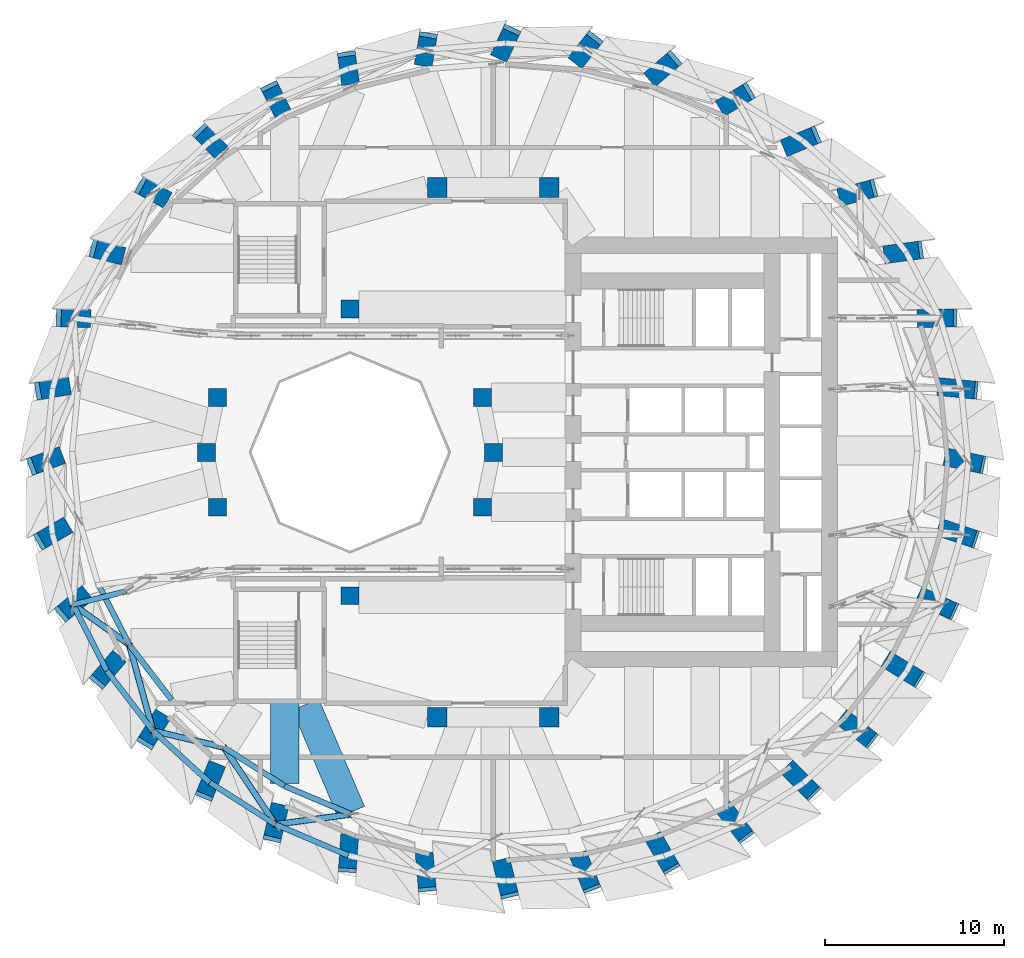
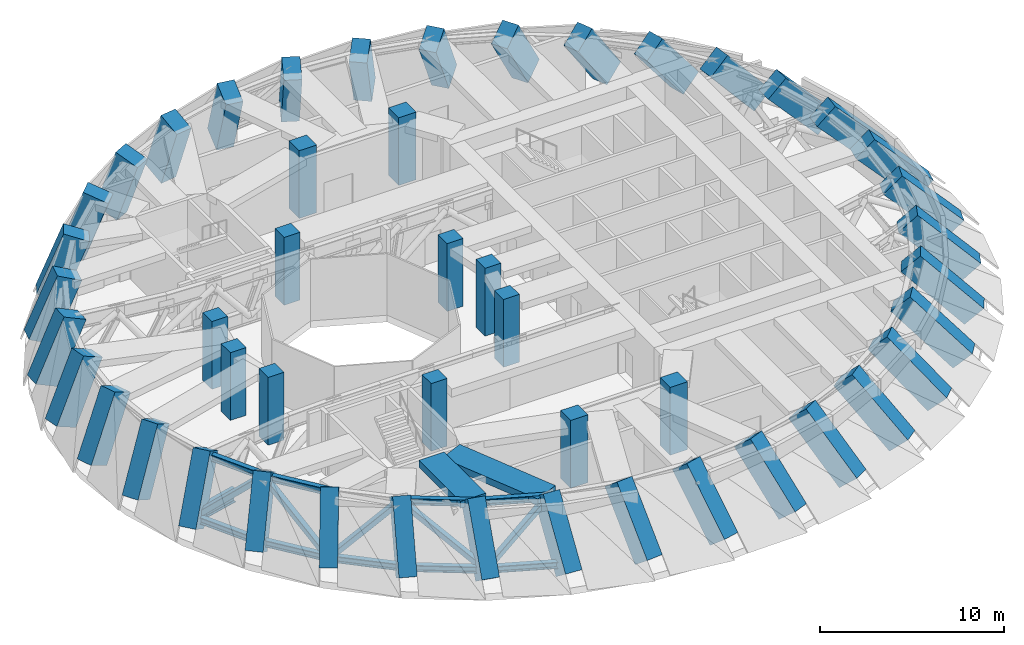
# One storey, part 1 of 14: 48 columns, 15 members, 2 beams.
"""IFC4 building model written with IfcOpenShell, lengths in metres."""

from ifc_helpers import new_model, si_unit, direction, frame, origin, origin_2d, place, context, subcontext, project, spatial, rectangle, hollow_rectangle, i_section, extrude, material, material_profile, profile_set, type_object, element, save


model = new_model("IFC4")

# Units and contexts
model_context = context("Model", 3, precision=1e-05, world=origin(), true_north=direction((0.0, 1.0)))
body_context = subcontext(model_context, "Body", "Model", "MODEL_VIEW")
ifc_project = project(units=[si_unit("LENGTHUNIT", "METRE"), si_unit("AREAUNIT", "SQUARE_METRE"), si_unit("VOLUMEUNIT", "CUBIC_METRE"), si_unit("PLANEANGLEUNIT", "RADIAN"), si_unit("MASSUNIT", "GRAM", prefix="KILO")], contexts=[model_context])

# Site, building, storey
site_placement = place(None, origin())
site = spatial("IfcSite", under=ifc_project, at=site_placement, CompositionType="ELEMENT")
building_placement = place(site_placement, origin())
building = spatial("IfcBuilding", under=site, at=building_placement, Name="Taillehof Tower", CompositionType="ELEMENT")
storey_placement = place(building_placement, frame((0.0, 0.0, 135.10009765625)))
storey = spatial("IfcBuildingStorey", under=building, at=storey_placement, Name="L38", CompositionType="ELEMENT", Elevation=135.10009765625)

# Columns
ifc_material_1 = material(Name="Concrete C50/60", Category="concrete")
ifc_material_profile_1 = material_profile(ifc_material_1, rectangle(XDim=1.0, YDim=1.0, at=origin_2d()), Name="RC 1000x1000")
ifc_profile_set_1 = profile_set([ifc_material_profile_1], Name="Concrete C50/60")
column_type_1 = type_object("IfcColumnType", Name="Atrium ring column C50/60 1000x1000", PredefinedType="COLUMN", material=ifc_profile_set_1)
for number, where, z_axis, x_axis, name in (
    (1, (0.0, 0.0, 0.0), (0.0, 0.0, 1.0), (1.0, 0.0, 0.0), "Column AC01"),
    (2, (-0.60888671875, 3.0615234375, 0.0), (0.0, 0.0, 1.0), (1.0, 0.0, 0.0), "Column AC02"),
    (3, (-8.0, 8.0, 0.0), (0.0, 0.0, 1.0), (1.0, 0.0, 0.0), "Column AC05"),
    (4, (-15.39111328125, 3.0615234375, 0.0), (0.0, 0.0, 1.0), (1.0, 0.0, 0.0), "Column AC08"),
    (5, (-16.0, 0.0, 0.0), (0.0, 0.0, 1.0), (1.0, 0.0, 0.0), "Column AC09"),
    (6, (-15.39111328125, -3.0615234375, 0.0), (0.0, 0.0, 1.0), (1.0, 0.0, 0.0), "Column AC10"),
    (7, (-8.0, -8.0, 0.0), (0.0, 0.0, 1.0), (1.0, 0.0, 0.0), "Column AC13"),
    (8, (-0.60888671875, -3.0615234375, 0.0), (0.0, 0.0, 1.0), (1.0, 0.0, 0.0), "Column AC16"),
):
    element("IfcColumn", number, at=place(storey_placement, frame(where, z_axis=z_axis, x_axis=x_axis)), inside=storey, type_object=column_type_1, Name=name, PredefinedType="COLUMN", context=body_context, shape_type="SweptSolid", body=[
        extrude(rectangle(XDim=1.0, YDim=1.0, at=origin_2d()), origin(), (0.0, 0.0, 1.0), 4.5),
    ])
ifc_material_2 = material(Name="Concrete C50/60", Category="concrete")
ifc_material_profile_2 = material_profile(ifc_material_2, rectangle(XDim=1.10009765625, YDim=1.10009765625, at=origin_2d()), Name="RC 1100x1100")
ifc_profile_set_2 = profile_set([ifc_material_profile_2], Name="Concrete C50/60")
column_type_2 = type_object("IfcColumnType", Name="Mid-ring column C50/60 1100x1100", PredefinedType="COLUMN", material=ifc_profile_set_2)
for number, where, z_axis, x_axis, name in (
    (9, (3.125732421875, 14.772216796875, 0.0), (0.0, 0.0, 1.0), (1.0, 0.0, 0.0), "Column MC05"),
    (10, (-3.125732421875, 14.772216796875, 0.0), (0.0, 0.0, 1.0), (1.0, 0.0, 0.0), "Column MC06"),
    (11, (-3.125732421875, -14.772216796875, 0.0), (0.0, 0.0, 1.0), (1.0, 0.0, 0.0), "Column MC14"),
    (12, (3.125732421875, -14.772216796875, 0.0), (0.0, 0.0, 1.0), (1.0, 0.0, 0.0), "Column MC15"),
):
    element("IfcColumn", number, at=place(storey_placement, frame(where, z_axis=z_axis, x_axis=x_axis)), inside=storey, type_object=column_type_2, Name=name, PredefinedType="COLUMN", context=body_context, shape_type="SweptSolid", body=[
        extrude(rectangle(XDim=1.10009765625, YDim=1.10009765625, at=origin_2d()), origin(), (0.0, 0.0, 1.0), 4.5),
    ])
ifc_material_3 = material(Name="Concrete C70/85", Category="concrete")
ifc_material_profile_3 = material_profile(ifc_material_3, rectangle(XDim=1.5, YDim=1.0, at=origin_2d()), Name="RC 1500x1000")
ifc_profile_set_3 = profile_set([ifc_material_profile_3], Name="Concrete C70/85")
column_type_3 = type_object("IfcColumnType", Name="Ring column C70/85 1500x1000", PredefinedType="COLUMN", material=ifc_profile_set_3)
column_1_placement = place(storey_placement, frame((26.85009765625, -0.60009765625, 0.524169921875), z_axis=(-0.683768170799, 0.145080055771, 0.715131362772), x_axis=(0.699557943343, -0.148430286418, 0.698990081461)))
element("IfcColumn", 13, at=column_1_placement, inside=storey, type_object=column_type_3, Name="Ring column RC01", PredefinedType="COLUMN", context=body_context, shape_type="SweptSolid", body=[
    extrude(rectangle(XDim=1.5, YDim=1.0, at=origin_2d()), origin(), (0.0, 0.0, 1.0), 4.826171875),
])
column_2_placement = place(storey_placement, frame((26.454345703125, 3.5068359375, 0.5146484375), z_axis=(-0.683196219724, 0.066605876307, 0.727190884566), x_axis=(0.723759493858, -0.070560453838, 0.686435297318)))
element("IfcColumn", 14, at=column_2_placement, inside=storey, type_object=column_type_3, Name="Ring column RC02", PredefinedType="COLUMN", context=body_context, shape_type="SweptSolid", body=[
    extrude(rectangle(XDim=1.5, YDim=1.0, at=origin_2d()), origin(), (0.0, 0.0, 1.0), 4.7724609375),
])
column_3_placement = place(storey_placement, frame((25.279052734375, 7.48876953125, 0.501220703125), z_axis=(-0.668420952562, -0.011161980955, 0.743699428773), x_axis=(0.743595757345, 0.01241732721, 0.668514143188)))
element("IfcColumn", 15, at=column_3_placement, inside=storey, type_object=column_type_3, Name="Ring column RC03", PredefinedType="COLUMN", context=body_context, shape_type="SweptSolid", body=[
    extrude(rectangle(XDim=1.5, YDim=1.0, at=origin_2d()), origin(), (0.0, 0.0, 1.0), 4.70263671875),
])
column_4_placement = place(storey_placement, frame((23.35986328125, 11.22509765625, 0.4833984375), z_axis=(-0.638714852025, -0.08658839061, 0.764555941978), x_axis=(0.757625702782, 0.102708728442, 0.644557376489)))
element("IfcColumn", 16, at=column_4_placement, inside=storey, type_object=column_type_3, Name="Ring column RC04", PredefinedType="COLUMN", context=body_context, shape_type="SweptSolid", body=[
    extrude(rectangle(XDim=1.5, YDim=1.0, at=origin_2d()), origin(), (0.0, 0.0, 1.0), 4.621337890625),
])
column_5_placement = place(storey_placement, frame((20.75537109375, 14.60205078125, 0.46044921875), z_axis=(-0.593567438893, -0.157530913941, 0.789215880883), x_axis=(0.7628085794, 0.202446975358, 0.614115863141)))
element("IfcColumn", 17, at=column_5_placement, inside=storey, type_object=column_type_3, Name="Ring column RC05", PredefinedType="COLUMN", context=body_context, shape_type="SweptSolid", body=[
    extrude(rectangle(XDim=1.5, YDim=1.0, at=origin_2d()), origin(), (0.0, 0.0, 1.0), 4.53466796875),
])
column_6_placement = place(storey_placement, frame((17.544677734375, 17.516845703125, 0.4326171875), z_axis=(-0.532872454376, -0.221367276167, 0.816727296232), x_axis=(0.754234818577, 0.313326211568, 0.577023850105)))
element("IfcColumn", 18, at=column_6_placement, inside=storey, type_object=column_type_3, Name="Ring column RC06", PredefinedType="COLUMN", context=body_context, shape_type="SweptSolid", body=[
    extrude(rectangle(XDim=1.5, YDim=1.0, at=origin_2d()), origin(), (0.0, 0.0, 1.0), 4.4501953125),
])
column_7_placement = place(storey_placement, frame((13.824951171875, 19.881591796875, 0.400146484375), z_axis=(-0.457164324524, -0.275515169699, 0.845631226746), x_axis=(0.724271094402, 0.436490038216, 0.533767578962)))
element("IfcColumn", 19, at=column_7_placement, inside=storey, type_object=column_type_3, Name="Ring column RC07", PredefinedType="COLUMN", context=body_context, shape_type="SweptSolid", body=[
    extrude(rectangle(XDim=1.5, YDim=1.0, at=origin_2d()), origin(), (0.0, 0.0, 1.0), 4.374755859375),
])
column_8_placement = place(storey_placement, frame((9.709716796875, 21.623779296875, 0.3642578125), z_axis=(-0.368343075411, -0.316910839535, 0.874008523175), x_axis=(0.66253955774, 0.570028273871, 0.485910589942)))
element("IfcColumn", 20, at=column_8_placement, inside=storey, type_object=column_type_3, Name="Ring column RC08", PredefinedType="COLUMN", context=body_context, shape_type="SweptSolid", body=[
    extrude(rectangle(XDim=1.5, YDim=1.0, at=origin_2d()), origin(), (0.0, 0.0, 1.0), 4.31494140625),
])
column_9_placement = place(storey_placement, frame((5.323486328125, 22.690673828125, 0.3271484375), z_axis=(-0.269411518234, -0.343162635715, 0.899809334966), x_axis=(0.555645773671, 0.707753215107, 0.436283349107)))
element("IfcColumn", 21, at=column_9_placement, inside=storey, type_object=column_type_3, Name="Ring column RC09", PredefinedType="COLUMN", context=body_context, shape_type="SweptSolid", body=[
    extrude(rectangle(XDim=1.5, YDim=1.0, at=origin_2d()), origin(), (0.0, 0.0, 1.0), 4.273681640625),
])
column_10_placement = place(storey_placement, frame((0.800048828125, 23.050048828125, 0.2919921875), z_axis=(-0.164636934212, -0.352818041088, 0.921093974454), x_axis=(0.389494941986, 0.834690241912, 0.389340326994)))
element("IfcColumn", 22, at=column_10_placement, inside=storey, type_object=column_type_3, Name="Ring column RC10", PredefinedType="COLUMN", context=body_context, shape_type="SweptSolid", body=[
    extrude(rectangle(XDim=1.5, YDim=1.0, at=origin_2d()), origin(), (0.0, 0.0, 1.0), 4.25146484375),
])
column_11_placement = place(storey_placement, frame((-3.7236328125, 22.690673828125, 0.2626953125), z_axis=(-0.058567080264, -0.345591798771, 0.936555500615), x_axis=(0.156485870874, 0.923389613299, 0.35051932082)))
element("IfcColumn", 23, at=column_11_placement, inside=storey, type_object=column_type_3, Name="Ring column RC11", PredefinedType="COLUMN", context=body_context, shape_type="SweptSolid", body=[
    extrude(rectangle(XDim=1.5, YDim=1.0, at=origin_2d()), origin(), (0.0, 0.0, 1.0), 4.24365234375),
])
column_12_placement = place(storey_placement, frame((-8.109619140625, 21.623779296875, 0.243896484375), z_axis=(0.04459510793, -0.322293160668, 0.945588914347), x_axis=(-0.129604581556, 0.936664853283, 0.325363804171)))
element("IfcColumn", 24, at=column_12_placement, inside=storey, type_object=column_type_3, Name="Ring column RC12", PredefinedType="COLUMN", context=body_context, shape_type="SweptSolid", body=[
    extrude(rectangle(XDim=1.5, YDim=1.0, at=origin_2d()), origin(), (0.0, 0.0, 1.0), 4.242919921875),
])
column_13_placement = place(storey_placement, frame((-12.22509765625, 19.881591796875, 0.23779296875), z_axis=(0.141417418826, -0.284043041801, 0.948325188982), x_axis=(-0.422658902725, 0.848928805027, 0.317300072397)))
element("IfcColumn", 25, at=column_13_placement, inside=storey, type_object=column_type_3, Name="Ring column RC13", PredefinedType="COLUMN", context=body_context, shape_type="SweptSolid", body=[
    extrude(rectangle(XDim=1.5, YDim=1.0, at=origin_2d()), origin(), (0.0, 0.0, 1.0), 4.243408203125),
])
column_14_placement = place(storey_placement, frame((-15.944580078125, 17.516845703125, 0.244384765625), z_axis=(0.228901450593, -0.232181335632, 0.945354935091), x_axis=(-0.663694994095, 0.673204952532, 0.326043013572)))
element("IfcColumn", 26, at=column_14_placement, inside=storey, type_object=column_type_3, Name="Ring column RC14", PredefinedType="COLUMN", context=body_context, shape_type="SweptSolid", body=[
    extrude(rectangle(XDim=1.5, YDim=1.0, at=origin_2d()), origin(), (0.0, 0.0, 1.0), 4.242919921875),
])
column_15_placement = place(storey_placement, frame((-19.155517578125, 14.60205078125, 0.2607421875), z_axis=(0.304420915631, -0.168349196586, 0.937542774563), x_axis=(-0.820443324529, 0.453717098388, 0.347870012886)))
element("IfcColumn", 27, at=column_15_placement, inside=storey, type_object=column_type_3, Name="Ring column RC15", PredefinedType="COLUMN", context=body_context, shape_type="SweptSolid", body=[
    extrude(rectangle(XDim=1.5, YDim=1.0, at=origin_2d()), origin(), (0.0, 0.0, 1.0), 4.243408203125),
])
column_16_placement = place(storey_placement, frame((-21.760009765625, 11.22509765625, 0.28271484375), z_axis=(0.365276327981, -0.094192558458, 0.926121464036), x_axis=(-0.896785344432, 0.231250972235, 0.377225441682)))
element("IfcColumn", 28, at=column_16_placement, inside=storey, type_object=column_type_3, Name="Ring column RC16", PredefinedType="COLUMN", context=body_context, shape_type="SweptSolid", body=[
    extrude(rectangle(XDim=1.5, YDim=1.0, at=origin_2d()), origin(), (0.0, 0.0, 1.0), 4.248291015625),
])
column_17_placement = place(storey_placement, frame((-23.678955078125, 7.48876953125, 0.306884765625), z_axis=(0.409253591825, -0.012323462499, 0.912337453934), x_axis=(-0.911924110745, 0.027459899693, 0.409439092113)))
element("IfcColumn", 29, at=column_17_placement, inside=storey, type_object=column_type_3, Name="Ring column RC17", PredefinedType="COLUMN", context=body_context, shape_type="SweptSolid", body=[
    extrude(rectangle(XDim=1.5, YDim=1.0, at=origin_2d()), origin(), (0.0, 0.0, 1.0), 4.25927734375),
])
column_18_placement = place(storey_placement, frame((-24.854248046875, 3.5068359375, 0.330810546875), z_axis=(0.435006805659, 0.074318181468, 0.897354939215), x_axis=(-0.884539007864, -0.151117935735, 0.441309543366)))
element("IfcColumn", 30, at=column_18_placement, inside=storey, type_object=column_type_3, Name="Ring column RC18", PredefinedType="COLUMN", context=body_context, shape_type="SweptSolid", body=[
    extrude(rectangle(XDim=1.5, YDim=1.0, at=origin_2d()), origin(), (0.0, 0.0, 1.0), 4.277099609375),
])
column_19_placement = place(storey_placement, frame((-25.25, -0.60009765625, 0.35302734375), z_axis=(0.441813012414, 0.16282700072, 0.882206682075), x_axis=(-0.827779873326, -0.305072304896, 0.470862368535)))
element("IfcColumn", 31, at=column_19_placement, inside=storey, type_object=column_type_3, Name="Ring column RC19", PredefinedType="COLUMN", context=body_context, shape_type="SweptSolid", body=[
    extrude(rectangle(XDim=1.5, YDim=1.0, at=origin_2d()), origin(), (0.0, 0.0, 1.0), 4.30029296875),
])
column_20_placement = place(storey_placement, frame((-24.854248046875, -4.706787109375, 0.373046875), z_axis=(0.429979574031, 0.250055041609, 0.867519476486), x_axis=(-0.749926104207, -0.436120259001, 0.497403214624)))
element("IfcColumn", 32, at=column_20_placement, inside=storey, type_object=column_type_3, Name="Ring column RC20", PredefinedType="COLUMN", context=body_context, shape_type="SweptSolid", body=[
    extrude(rectangle(XDim=1.5, YDim=1.0, at=origin_2d()), origin(), (0.0, 0.0, 1.0), 4.3271484375),
])
column_21_placement = place(storey_placement, frame((-23.678955078125, -8.688720703125, 0.390625), z_axis=(0.40014977533, 0.333402102722, 0.853652854036), x_axis=(-0.655839459848, -0.546441028941, 0.520842399192)))
element("IfcColumn", 33, at=column_21_placement, inside=storey, type_object=column_type_3, Name="Ring column RC21", PredefinedType="COLUMN", context=body_context, shape_type="SweptSolid", body=[
    extrude(rectangle(XDim=1.5, YDim=1.0, at=origin_2d()), origin(), (0.0, 0.0, 1.0), 4.356201171875),
])
column_22_placement = place(storey_placement, frame((-21.760009765625, -12.425048828125, 0.40625), z_axis=(0.353733709576, 0.410333329248, 0.840534961568), x_axis=(-0.548816872063, -0.636631025443, 0.541757305795)))
element("IfcColumn", 34, at=column_22_placement, inside=storey, type_object=column_type_3, Name="Ring column RC22", PredefinedType="COLUMN", context=body_context, shape_type="SweptSolid", body=[
    extrude(rectangle(XDim=1.5, YDim=1.0, at=origin_2d()), origin(), (0.0, 0.0, 1.0), 4.38671875),
])
column_23_placement = place(storey_placement, frame((-19.155517578125, -15.802001953125, 0.42041015625), z_axis=(0.292324702728, 0.478460012403, 0.828023118462), x_axis=(-0.431700053499, -0.706581452145, 0.560693958674)))
element("IfcColumn", 35, at=column_23_placement, inside=storey, type_object=column_type_3, Name="Ring column RC23", PredefinedType="COLUMN", context=body_context, shape_type="SweptSolid", body=[
    extrude(rectangle(XDim=1.5, YDim=1.0, at=origin_2d()), origin(), (0.0, 0.0, 1.0), 4.4189453125),
])
column_24_placement = place(storey_placement, frame((-15.944580078125, -18.717041015625, 0.43359375), z_axis=(0.218097360809, 0.535703698459, 0.815754306557), x_axis=(-0.307597336991, -0.755538858658, 0.578398574803)))
element("IfcColumn", 36, at=column_24_placement, inside=storey, type_object=column_type_3, Name="Ring column RC24", PredefinedType="COLUMN", context=body_context, shape_type="SweptSolid", body=[
    extrude(rectangle(XDim=1.5, YDim=1.0, at=origin_2d()), origin(), (0.0, 0.0, 1.0), 4.453125),
])
column_25_placement = place(storey_placement, frame((-12.22509765625, -21.08154296875, 0.446533203125), z_axis=(0.133667219248, 0.580294099508, 0.803362827479), x_axis=(-0.180327631599, -0.782862553618, 0.595489855014)))
element("IfcColumn", 37, at=column_25_placement, inside=storey, type_object=column_type_3, Name="Ring column RC25", PredefinedType="COLUMN", context=body_context, shape_type="SweptSolid", body=[
    extrude(rectangle(XDim=1.5, YDim=1.0, at=origin_2d()), origin(), (0.0, 0.0, 1.0), 4.489501953125),
])
column_26_placement = place(storey_placement, frame((-8.109619140625, -22.82373046875, 0.459228515625), z_axis=(0.041767491647, 0.610883248794, 0.790618196719), x_axis=(-0.053930473768, -0.788776671171, 0.612309453639)))
element("IfcColumn", 38, at=column_26_placement, inside=storey, type_object=column_type_3, Name="Ring column RC26", PredefinedType="COLUMN", context=body_context, shape_type="SweptSolid", body=[
    extrude(rectangle(XDim=1.5, YDim=1.0, at=origin_2d()), origin(), (0.0, 0.0, 1.0), 4.530029296875),
])
column_27_placement = place(storey_placement, frame((-3.7236328125, -23.890625, 0.4716796875), z_axis=(-0.054330250343, 0.626612445263, 0.777434928042), x_axis=(0.067155315631, -0.77452903814, 0.628963379427)))
element("IfcColumn", 39, at=column_27_placement, inside=storey, type_object=column_type_3, Name="Ring column RC27", PredefinedType="COLUMN", context=body_context, shape_type="SweptSolid", body=[
    extrude(rectangle(XDim=1.5, YDim=1.0, at=origin_2d()), origin(), (0.0, 0.0, 1.0), 4.574462890625),
])
column_28_placement = place(storey_placement, frame((0.800048828125, -24.25, 0.48388671875), z_axis=(-0.151398701185, 0.627245822347, 0.763964077446), x_axis=(0.179250826688, -0.742637362889, 0.645258776285)))
element("IfcColumn", 40, at=column_28_placement, inside=storey, type_object=column_type_3, Name="Ring column RC28", PredefinedType="COLUMN", context=body_context, shape_type="SweptSolid", body=[
    extrude(rectangle(XDim=1.5, YDim=1.0, at=origin_2d()), origin(), (0.0, 0.0, 1.0), 4.623291015625),
])
column_29_placement = place(storey_placement, frame((5.323486328125, -23.890625, 0.49560546875), z_axis=(-0.24629196806, 0.613170906911, 0.750574250415), x_axis=(0.279758312243, -0.69648904666, 0.66078611866)))
element("IfcColumn", 41, at=column_29_placement, inside=storey, type_object=column_type_3, Name="Ring column RC29", PredefinedType="COLUMN", context=body_context, shape_type="SweptSolid", body=[
    extrude(rectangle(XDim=1.5, YDim=1.0, at=origin_2d()), origin(), (0.0, 0.0, 1.0), 4.6748046875),
])
column_30_placement = place(storey_placement, frame((9.709716796875, -22.82373046875, 0.506103515625), z_axis=(-0.336209227125, 0.585396557521, 0.7377494331), x_axis=(0.367423320064, -0.63974551965, 0.675074643251)))
element("IfcColumn", 42, at=column_30_placement, inside=storey, type_object=column_type_3, Name="Ring column RC30", PredefinedType="COLUMN", context=body_context, shape_type="SweptSolid", body=[
    extrude(rectangle(XDim=1.5, YDim=1.0, at=origin_2d()), origin(), (0.0, 0.0, 1.0), 4.727294921875),
])
column_31_placement = place(storey_placement, frame((13.824951171875, -21.08154296875, 0.515625), z_axis=(-0.418691163064, 0.545392260871, 0.726116376178), x_axis=(0.442162550921, -0.575966379502, 0.687571820428)))
element("IfcColumn", 43, at=column_31_placement, inside=storey, type_object=column_type_3, Name="Ring column RC31", PredefinedType="COLUMN", context=body_context, shape_type="SweptSolid", body=[
    extrude(rectangle(XDim=1.5, YDim=1.0, at=origin_2d()), origin(), (0.0, 0.0, 1.0), 4.77685546875),
])
column_32_placement = place(storey_placement, frame((17.544677734375, -18.717041015625, 0.523193359375), z_axis=(-0.491902569077, 0.494839905534, 0.716355589374), x_axis=(0.505029788662, -0.508045512717, 0.697735386499)))
element("IfcColumn", 44, at=column_32_placement, inside=storey, type_object=column_type_3, Name="Ring column RC32", PredefinedType="COLUMN", context=body_context, shape_type="SweptSolid", body=[
    extrude(rectangle(XDim=1.5, YDim=1.0, at=origin_2d()), origin(), (0.0, 0.0, 1.0), 4.82080078125),
])
column_33_placement = place(storey_placement, frame((20.75537109375, -15.802001953125, 0.52880859375), z_axis=(-0.554477984878, 0.435535541863, 0.709128307191), x_axis=(0.557662018939, -0.438036560908, 0.70507945931)))
element("IfcColumn", 45, at=column_33_placement, inside=storey, type_object=column_type_3, Name="Ring column RC33", PredefinedType="COLUMN", context=body_context, shape_type="SweptSolid", body=[
    extrude(rectangle(XDim=1.5, YDim=1.0, at=origin_2d()), origin(), (0.0, 0.0, 1.0), 4.8544921875),
])
column_34_placement = place(storey_placement, frame((23.35986328125, -12.425048828125, 0.53173828125), z_axis=(-0.605534186354, 0.369280691149, 0.704953984527), x_axis=(0.601863807785, -0.367042337039, 0.709253043489)))
element("IfcColumn", 46, at=column_34_placement, inside=storey, type_object=column_type_3, Name="Ring column RC34", PredefinedType="COLUMN", context=body_context, shape_type="SweptSolid", body=[
    extrude(rectangle(XDim=1.5, YDim=1.0, at=origin_2d()), origin(), (0.0, 0.0, 1.0), 4.87451171875),
])
column_35_placement = place(storey_placement, frame((25.279052734375, -8.688720703125, 0.5322265625), z_axis=(-0.644435668131, 0.297766818618, 0.70429936204), x_axis=(0.639348709963, -0.295416347617, 0.709903098056)))
element("IfcColumn", 47, at=column_35_placement, inside=storey, type_object=column_type_3, Name="Ring column RC35", PredefinedType="COLUMN", context=body_context, shape_type="SweptSolid", body=[
    extrude(rectangle(XDim=1.5, YDim=1.0, at=origin_2d()), origin(), (0.0, 0.0, 1.0), 4.877685546875),
])
column_36_placement = place(storey_placement, frame((26.454345703125, -4.706787109375, 0.52978515625), z_axis=(-0.67064426587, 0.222560493174, 0.707603770152), x_axis=(0.671587983836, -0.222873676104, 0.706609442667)))
element("IfcColumn", 48, at=column_36_placement, inside=storey, type_object=column_type_3, Name="Ring column RC36", PredefinedType="COLUMN", context=body_context, shape_type="SweptSolid", body=[
    extrude(rectangle(XDim=1.5, YDim=1.0, at=origin_2d()), origin(), (0.0, 0.0, 1.0), 4.86181640625),
])

# Members
ifc_material_4 = material(Name="Steel S460M", Category="steel")
ifc_material_profile_4 = material_profile(ifc_material_4, i_section(OverallWidth=0.306884765625, OverallDepth=0.431884765625, WebThickness=0.02099609375, FlangeThickness=0.0400390625, FilletRadius=0.027099609375, at=origin_2d()), Name="HEM 400")
ifc_profile_set_4 = profile_set([ifc_material_profile_4], Name="Steel S460M")
member_type_1 = type_object("IfcMemberType", Name="Belt truss chord HEM 400", PredefinedType="CHORD", material=ifc_profile_set_4)
member_1_placement = place(storey_placement, frame((-23.440185546875, -8.48974609375, 0.89990234375), z_axis=(0.455058180294, -0.890461707514, 0.0), x_axis=(0.890461707514, 0.455058180294, 0.0)))
element("IfcMember", 49, at=member_1_placement, inside=storey, type_object=member_type_1, Name="Belt truss bottom chord BB21", PredefinedType="CHORD", context=body_context, shape_type="SweptSolid", body=[
    extrude(i_section(OverallWidth=0.306884765625, OverallDepth=0.431884765625, WebThickness=0.02099609375, FlangeThickness=0.0400390625, FilletRadius=0.027099609375, at=origin_2d()), origin(), (0.0, 0.0, 1.0), 4.148681640625),
])
member_2_placement = place(storey_placement, frame((-22.046142578125, -7.328369140625, 3.8740234375), z_axis=(0.456279070329, -0.889836732204, 0.0), x_axis=(0.889836732204, 0.456279070329, 0.0)))
element("IfcMember", 50, at=member_2_placement, inside=storey, type_object=member_type_1, Name="Belt truss top chord BT21", PredefinedType="CHORD", context=body_context, shape_type="SweptSolid", body=[
    extrude(i_section(OverallWidth=0.306884765625, OverallDepth=0.431884765625, WebThickness=0.02099609375, FlangeThickness=0.0400390625, FilletRadius=0.027099609375, at=origin_2d()), origin(), (0.0, 0.0, 1.0), 3.8251953125),
])
member_3_placement = place(storey_placement, frame((-21.55224609375, -12.18408203125, 0.89990234375), z_axis=(0.609158861238, -0.793048221595, 0.0), x_axis=(0.793048221595, 0.609158861238, 0.0)))
element("IfcMember", 51, at=member_3_placement, inside=storey, type_object=member_type_1, Name="Belt truss bottom chord BB22", PredefinedType="CHORD", context=body_context, shape_type="SweptSolid", body=[
    extrude(i_section(OverallWidth=0.306884765625, OverallDepth=0.431884765625, WebThickness=0.02099609375, FlangeThickness=0.0400390625, FilletRadius=0.027099609375, at=origin_2d()), origin(), (0.0, 0.0, 1.0), 4.212646484375),
])
member_4_placement = place(storey_placement, frame((-20.30078125, -10.732177734375, 3.8740234375), z_axis=(0.609634707707, -0.792682485715, 0.0), x_axis=(0.792682485715, 0.609634707707, 0.0)))
element("IfcMember", 52, at=member_4_placement, inside=storey, type_object=member_type_1, Name="Belt truss top chord BT22", PredefinedType="CHORD", context=body_context, shape_type="SweptSolid", body=[
    extrude(i_section(OverallWidth=0.306884765625, OverallDepth=0.431884765625, WebThickness=0.02099609375, FlangeThickness=0.0400390625, FilletRadius=0.027099609375, at=origin_2d()), origin(), (0.0, 0.0, 1.0), 3.878662109375),
])
member_5_placement = place(storey_placement, frame((-18.986083984375, -15.52490234375, 0.89990234375), z_axis=(0.739034283003, -0.673667817657, 0.0), x_axis=(0.673667817657, 0.739034283003, 0.0)))
element("IfcMember", 53, at=member_5_placement, inside=storey, type_object=member_type_1, Name="Belt truss bottom chord BB23", PredefinedType="CHORD", context=body_context, shape_type="SweptSolid", body=[
    extrude(i_section(OverallWidth=0.306884765625, OverallDepth=0.431884765625, WebThickness=0.02099609375, FlangeThickness=0.0400390625, FilletRadius=0.027099609375, at=origin_2d()), origin(), (0.0, 0.0, 1.0), 4.283935546875),
])
member_6_placement = place(storey_placement, frame((-15.820068359375, -18.410888671875, 0.89990234375), z_axis=(0.84290110967, -0.538068508015, 0.0), x_axis=(0.538068508015, 0.84290110967, 0.0)))
element("IfcMember", 54, at=member_6_placement, inside=storey, type_object=member_type_1, Name="Belt truss bottom chord BB24", PredefinedType="CHORD", context=body_context, shape_type="SweptSolid", body=[
    extrude(i_section(OverallWidth=0.306884765625, OverallDepth=0.431884765625, WebThickness=0.02099609375, FlangeThickness=0.0400390625, FilletRadius=0.027099609375, at=origin_2d()), origin(), (0.0, 0.0, 1.0), 4.3544921875),
])
member_7_placement = place(storey_placement, frame((-15.024658203125, -16.457763671875, 3.8740234375), z_axis=(0.843266311346, -0.537495979658, 0.0), x_axis=(0.537495979658, 0.843266311346, 0.0)))
element("IfcMember", 55, at=member_7_placement, inside=storey, type_object=member_type_1, Name="Belt truss top chord BT24", PredefinedType="CHORD", context=body_context, shape_type="SweptSolid", body=[
    extrude(i_section(OverallWidth=0.306884765625, OverallDepth=0.431884765625, WebThickness=0.02099609375, FlangeThickness=0.0400390625, FilletRadius=0.027099609375, at=origin_2d()), origin(), (0.0, 0.0, 1.0), 3.99609375),
])
member_8_placement = place(storey_placement, frame((-12.149658203125, -20.75390625, 0.89990234375), z_axis=(0.920137258284, -0.391595998343, 0.0), x_axis=(0.391595998343, 0.920137258284, 0.0)))
element("IfcMember", 56, at=member_8_placement, inside=storey, type_object=member_type_1, Name="Belt truss bottom chord BB25", PredefinedType="CHORD", context=body_context, shape_type="SweptSolid", body=[
    extrude(i_section(OverallWidth=0.306884765625, OverallDepth=0.431884765625, WebThickness=0.02099609375, FlangeThickness=0.0400390625, FilletRadius=0.027099609375, at=origin_2d()), origin(), (0.0, 0.0, 1.0), 4.416015625),
])
member_9_placement = place(storey_placement, frame((-11.65478515625, -18.605712890625, 3.8740234375), z_axis=(0.920667210693, -0.39034841764, 0.0), x_axis=(0.39034841764, 0.920667210693, 0.0)))
element("IfcMember", 57, at=member_9_placement, inside=storey, type_object=member_type_1, Name="Belt truss top chord BT25", PredefinedType="CHORD", context=body_context, shape_type="SweptSolid", body=[
    extrude(i_section(OverallWidth=0.306884765625, OverallDepth=0.431884765625, WebThickness=0.02099609375, FlangeThickness=0.0400390625, FilletRadius=0.027099609375, at=origin_2d()), origin(), (0.0, 0.0, 1.0), 4.046630859375),
])
ifc_material_5 = material(Name="Steel S460M", Category="steel")
ifc_material_profile_5 = material_profile(ifc_material_5, hollow_rectangle(XDim=0.35009765625, YDim=0.35009765625, WallThickness=0.01611328125, InnerFilletRadius=0.01611328125, OuterFilletRadius=0.02392578125, at=origin_2d()), Name="RHS 350x350x16")
ifc_profile_set_5 = profile_set([ifc_material_profile_5], Name="Steel S460M")
member_type_2 = type_object("IfcMemberType", Name="Belt truss diagonal RHS 350x350x16", PredefinedType="BRACE", material=ifc_profile_set_5)
member_10_placement = place(storey_placement, frame((-23.440185546875, -8.48974609375, 0.89990234375), z_axis=(0.644466902712, -0.460333501937, 0.610537040893), x_axis=(0.581238193719, 0.813733471207, 0.0)))
element("IfcMember", 58, at=member_10_placement, inside=storey, type_object=member_type_2, Name="Belt truss diagonal BX21", PredefinedType="BRACE", context=body_context, shape_type="SweptSolid", body=[
    extrude(hollow_rectangle(XDim=0.35009765625, YDim=0.35009765625, WallThickness=0.01611328125, InnerFilletRadius=0.01611328125, OuterFilletRadius=0.02392578125, at=origin_2d()), origin(), (0.0, 0.0, 1.0), 4.871337890625),
])
member_11_placement = place(storey_placement, frame((-20.30078125, -10.732177734375, 3.8740234375), z_axis=(0.226995952001, -0.827513005336, -0.513512476746), x_axis=(0.964375063355, 0.26453872529, 0.0)))
element("IfcMember", 59, at=member_11_placement, inside=storey, type_object=member_type_2, Name="Belt truss diagonal BX22", PredefinedType="BRACE", context=body_context, shape_type="SweptSolid", body=[
    extrude(hollow_rectangle(XDim=0.35009765625, YDim=0.35009765625, WallThickness=0.01611328125, InnerFilletRadius=0.01611328125, OuterFilletRadius=0.02392578125, at=origin_2d()), origin(), (0.0, 0.0, 1.0), 5.791748046875),
])
member_12_placement = place(storey_placement, frame((-18.986083984375, -15.52490234375, 0.89990234375), z_axis=(0.785890126801, -0.185066324079, 0.590023020134), x_axis=(0.229216542234, 0.97337545519, 0.0)))
element("IfcMember", 60, at=member_12_placement, inside=storey, type_object=member_type_2, Name="Belt truss diagonal BX23", PredefinedType="BRACE", context=body_context, shape_type="SweptSolid", body=[
    extrude(hollow_rectangle(XDim=0.35009765625, YDim=0.35009765625, WallThickness=0.01611328125, InnerFilletRadius=0.01611328125, OuterFilletRadius=0.02392578125, at=origin_2d()), origin(), (0.0, 0.0, 1.0), 5.040771484375),
])
member_13_placement = place(storey_placement, frame((-15.024658203125, -16.457763671875, 3.8740234375), z_axis=(0.482068736102, -0.72036035574, -0.498688972758), x_axis=(0.831075384243, 0.556159784329, 0.0)))
element("IfcMember", 61, at=member_13_placement, inside=storey, type_object=member_type_2, Name="Belt truss diagonal BX24", PredefinedType="BRACE", context=body_context, shape_type="SweptSolid", body=[
    extrude(hollow_rectangle(XDim=0.35009765625, YDim=0.35009765625, WallThickness=0.01611328125, InnerFilletRadius=0.01611328125, OuterFilletRadius=0.02392578125, at=origin_2d()), origin(), (0.0, 0.0, 1.0), 5.9638671875),
])
member_14_placement = place(storey_placement, frame((-12.149658203125, -20.75390625, 0.89990234375), z_axis=(0.812513941958, 0.109466360318, 0.572571576383), x_axis=(-0.133519214279, 0.991046224663, 0.0)))
element("IfcMember", 62, at=member_14_placement, inside=storey, type_object=member_type_2, Name="Belt truss diagonal BX25", PredefinedType="BRACE", context=body_context, shape_type="SweptSolid", body=[
    extrude(hollow_rectangle(XDim=0.35009765625, YDim=0.35009765625, WallThickness=0.01611328125, InnerFilletRadius=0.01611328125, OuterFilletRadius=0.02392578125, at=origin_2d()), origin(), (0.0, 0.0, 1.0), 5.1943359375),
])
ifc_material_6 = material(Name="Steel S460M", Category="steel")
ifc_material_profile_6 = material_profile(ifc_material_6, i_section(OverallWidth=0.302001953125, OverallDepth=0.909912109375, WebThickness=0.02099609375, FlangeThickness=0.0400390625, FilletRadius=0.030029296875, at=origin_2d()), Name="HEM 900")
ifc_profile_set_6 = profile_set([ifc_material_profile_6], Name="Steel S460M")
member_type_3 = type_object("IfcMemberType", Name="Outrigger chord HEM 900", PredefinedType="CHORD", material=ifc_profile_set_6)
member_15_placement = place(storey_placement, frame((-20.456298828125, -7.741943359375, 0.89990234375), z_axis=(-0.970002282038, -0.243095810005, 0.0), x_axis=(0.243095810005, -0.970002282038, 0.0)))
element("IfcMember", 63, at=member_15_placement, inside=storey, type_object=member_type_3, Name="Outrigger OT6 bottom chord 09", PredefinedType="CHORD", context=body_context, shape_type="SweptSolid", body=[
    extrude(i_section(OverallWidth=0.302001953125, OverallDepth=0.909912109375, WebThickness=0.02099609375, FlangeThickness=0.0400390625, FilletRadius=0.030029296875, at=origin_2d()), origin(), (0.0, 0.0, 1.0), 3.076171875),
])

# Beams
ifc_material_7 = material(Name="Concrete C50/60", Category="concrete")
ifc_material_profile_7 = material_profile(ifc_material_7, rectangle(XDim=1.60009765625, YDim=0.449951171875, at=origin_2d()), Name="RC 1600x450")
ifc_profile_set_7 = profile_set([ifc_material_profile_7], Name="Concrete C50/60")
beam_type = type_object("IfcBeamType", Name="Radial band beam C50/60 1600x450", PredefinedType="BEAM", material=ifc_profile_set_7)
beam_1_placement = place(storey_placement, frame((-11.625, -18.476318359375, 3.864990234375), z_axis=(0.0, 1.0, 0.0), x_axis=(-1.0, 0.0, 0.0)))
element("IfcBeam", 64, at=beam_1_placement, inside=storey, type_object=beam_type, Name="Radial band beam RB25", PredefinedType="BEAM", context=body_context, shape_type="SweptSolid", body=[
    extrude(rectangle(XDim=1.60009765625, YDim=0.449951171875, at=origin_2d()), origin(), (0.0, 0.0, 1.0), 4.5263671875),
])
beam_2_placement = place(storey_placement, frame((-7.92041015625, -20.056396484375, 3.864990234375), z_axis=(-0.391855602635, 0.920026731505, 0.0), x_axis=(-0.920026731505, -0.391855602635, 0.0)))
element("IfcBeam", 65, at=beam_2_placement, inside=storey, type_object=beam_type, Name="Radial band beam RB26", PredefinedType="BEAM", context=body_context, shape_type="SweptSolid", body=[
    extrude(rectangle(XDim=1.60009765625, YDim=0.449951171875, at=origin_2d()), origin(), (0.0, 0.0, 1.0), 6.513916015625),
])

save(model, "model.ifc")
